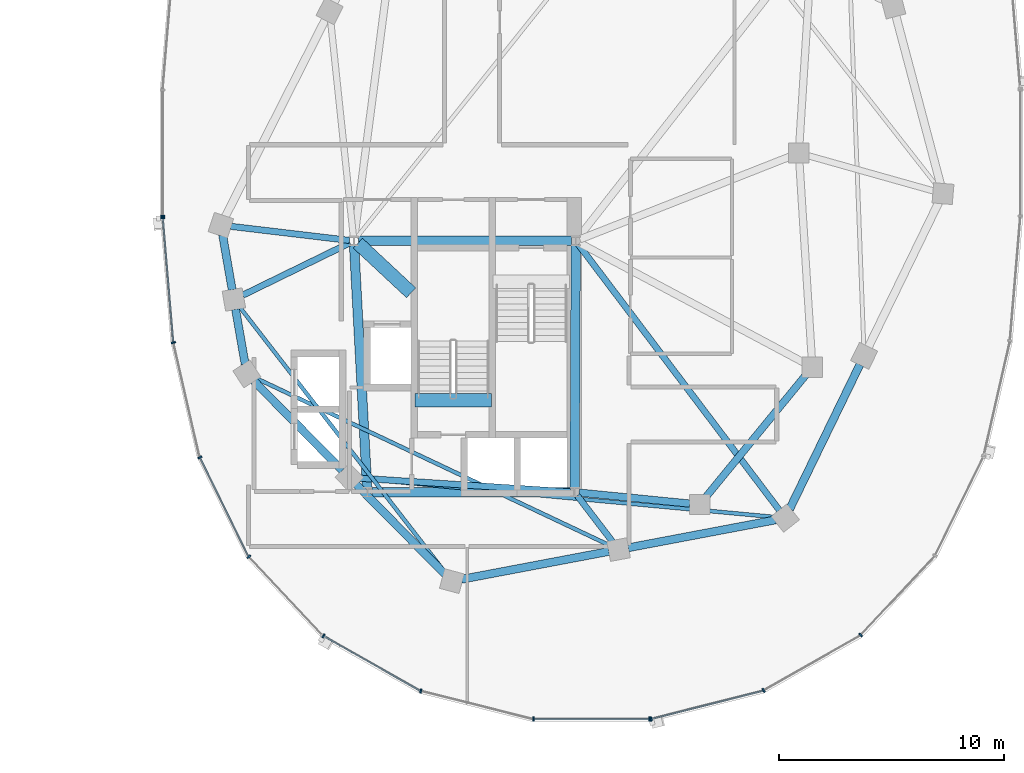
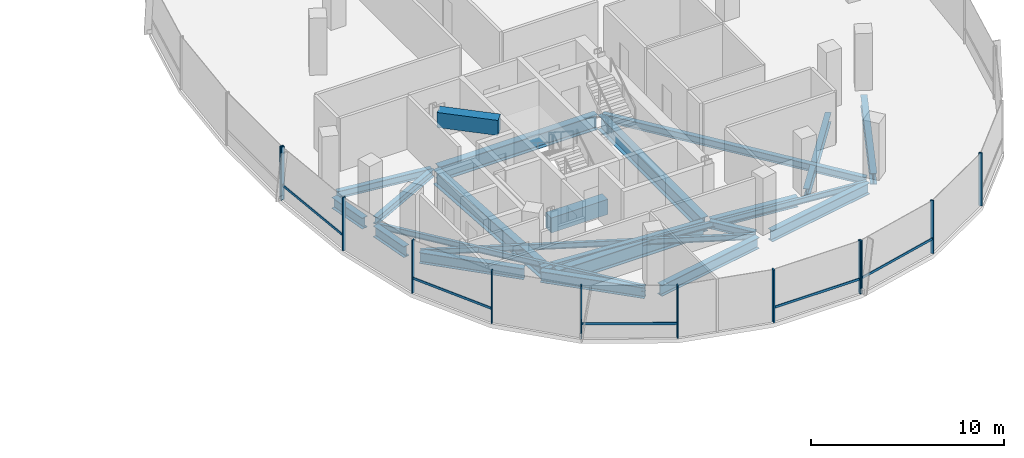
# One storey, part 8 of 24: 23 beams, 17 members, 3 elements without a shape of their own.
"""IFC4 building model written with IfcOpenShell, lengths in metres."""

from ifc_helpers import new_model, si_unit, direction, frame, origin, origin_2d, place, context, subcontext, project, spatial, rectangle, i_section, extrude, material, material_profile, profile_set, type_object, element, aggregate, save


model = new_model("IFC4")

# Units and contexts
model_context = context("Model", 3, precision=1e-05, world=origin(), true_north=direction((0.0, 1.0)))
body_context = subcontext(model_context, "Body", "Model", "MODEL_VIEW")
ifc_project = project(units=[si_unit("LENGTHUNIT", "METRE"), si_unit("AREAUNIT", "SQUARE_METRE"), si_unit("VOLUMEUNIT", "CUBIC_METRE"), si_unit("PLANEANGLEUNIT", "RADIAN"), si_unit("MASSUNIT", "GRAM", prefix="KILO"), si_unit("THERMODYNAMICTEMPERATUREUNIT", "KELVIN"), si_unit("POWERUNIT", "WATT")], contexts=[model_context])

# Site, building, storey
site_placement = place(None, origin())
site = spatial("IfcSite", under=ifc_project, at=site_placement, CompositionType="ELEMENT")
building_placement = place(site_placement, origin())
building = spatial("IfcBuilding", under=site, at=building_placement, Name="Cundina Bronze Exchange", CompositionType="ELEMENT")
storey_placement = place(building_placement, frame((0.0, 0.0, 227.800048828125)))
storey = spatial("IfcBuildingStorey", under=building, at=storey_placement, Name="L60", CompositionType="ELEMENT", Elevation=227.800048828125)

# Beams
ifc_material_1 = material(Name="Concrete C60/75", Category="concrete")
ifc_material_profile_1 = material_profile(ifc_material_1, rectangle(XDim=0.60009765625, YDim=0.949951171875, at=origin_2d()), Name="RC600X950", Category="concrete")
ifc_profile_set_1 = profile_set([ifc_material_profile_1], Name="Concrete C60/75")
beam_type_1 = type_object("IfcBeamType", Name="BM-COUP-RC950", PredefinedType="LINTEL", material=ifc_profile_set_1)
beam_1_placement = place(storey_placement, frame((24.159912109375, -10.97998046875, -0.47509765625), z_axis=(1.0, 0.0, 0.0), x_axis=(0.0, 1.0, 0.0)))
element("IfcBeam", 1, at=beam_1_placement, inside=storey, type_object=beam_type_1, Name="L60 Stair E2 Landing Header Beam", PredefinedType="LINTEL", context=body_context, shape_type="SweptSolid", body=[
    extrude(rectangle(XDim=0.60009765625, YDim=0.949951171875, at=origin_2d()), origin(), (0.0, 0.0, 1.0), 3.400146484375),
])
beam_2_placement = place(storey_placement, frame((21.6298828125, -4.0, 2.864990234375), z_axis=(0.731490439815, -0.681851696822, 0.0), x_axis=(0.681851696822, 0.731490439815, 0.0)))
element("IfcBeam", 2, at=beam_2_placement, inside=storey, type_object=beam_type_1, Name="L60 E Core Shear Coupling Lintel Beam", PredefinedType="LINTEL", context=body_context, shape_type="SweptSolid", body=[
    extrude(rectangle(XDim=0.60009765625, YDim=0.949951171875, at=origin_2d()), origin(), (0.0, 0.0, 1.0), 3.226318359375),
])
ifc_material_2 = material(Name="Steel ASTM A992 Grade 50", Category="steel")
ifc_material_profile_2 = material_profile(ifc_material_2, i_section(OverallWidth=0.280029296875, OverallDepth=0.462890625, WebThickness=0.0107421875, FlangeThickness=0.017333984375, FilletRadius=0.011962890625, at=origin_2d()), Name="W18X76", Category="steel")
ifc_profile_set_2 = profile_set([ifc_material_profile_2], Name="Steel ASTM A992 Grade 50")
beam_type_2 = type_object("IfcBeamType", Name="BM-FLR-W18A", PredefinedType="BEAM", material=ifc_profile_set_2)
beam_3_placement = place(storey_placement, frame((21.25537109375, -3.876953125, -0.491455078125), z_axis=(-0.993036786722, 0.117804669761, 0.0), x_axis=(-0.117804669761, -0.993036786722, 0.0)))
element("IfcBeam", 3, at=beam_3_placement, inside=storey, type_object=beam_type_2, Name="L60 Leg E Chordal Floor Beam 00", PredefinedType="BEAM", context=body_context, shape_type="SweptSolid", body=[
    extrude(i_section(OverallWidth=0.280029296875, OverallDepth=0.462890625, WebThickness=0.0107421875, FlangeThickness=0.017333984375, FilletRadius=0.011962890625, at=origin_2d()), origin(), (0.0, 0.0, 1.0), 5.307373046875),
])
beam_4_placement = place(storey_placement, frame((21.27392578125, -3.986083984375, -0.491455078125), z_axis=(-0.898613202677, -0.438741737214, 0.0), x_axis=(0.438741737214, -0.898613202677, 0.0)))
element("IfcBeam", 4, at=beam_4_placement, inside=storey, type_object=beam_type_2, Name="L60 Leg E Chordal Floor Beam 01", PredefinedType="BEAM", context=body_context, shape_type="SweptSolid", body=[
    extrude(i_section(OverallWidth=0.280029296875, OverallDepth=0.462890625, WebThickness=0.0107421875, FlangeThickness=0.017333984375, FilletRadius=0.011962890625, at=origin_2d()), origin(), (0.0, 0.0, 1.0), 5.2919921875),
])
beam_5_placement = place(storey_placement, frame((31.054443359375, -15.037353515625, -0.491455078125), z_axis=(-0.997894145252, 0.064863509559, 0.0), x_axis=(-0.064863509559, -0.997894145252, 0.0)))
element("IfcBeam", 5, at=beam_5_placement, inside=storey, type_object=beam_type_2, Name="L60 Leg E Chordal Floor Beam 03", PredefinedType="BEAM", context=body_context, shape_type="SweptSolid", body=[
    extrude(i_section(OverallWidth=0.280029296875, OverallDepth=0.462890625, WebThickness=0.0107421875, FlangeThickness=0.017333984375, FilletRadius=0.011962890625, at=origin_2d()), origin(), (0.0, 0.0, 1.0), 9.38720703125),
])
beam_6_placement = place(storey_placement, frame((31.369140625, -15.205810546875, -0.491455078125), z_axis=(0.60740437517, -0.794392802727, 0.0), x_axis=(0.794392802727, 0.60740437517, 0.0)))
element("IfcBeam", 6, at=beam_6_placement, inside=storey, type_object=beam_type_2, Name="L60 Leg E Chordal Floor Beam 05", PredefinedType="BEAM", context=body_context, shape_type="SweptSolid", body=[
    extrude(i_section(OverallWidth=0.280029296875, OverallDepth=0.462890625, WebThickness=0.0107421875, FlangeThickness=0.017333984375, FilletRadius=0.011962890625, at=origin_2d()), origin(), (0.0, 0.0, 1.0), 2.575927734375),
])
beam_7_placement = place(storey_placement, frame((31.418212890625, -4.056396484375, -0.491455078125), z_axis=(0.603104943786, -0.797661849897, 0.0), x_axis=(0.797661849897, 0.603104943786, 0.0)))
element("IfcBeam", 7, at=beam_7_placement, inside=storey, type_object=beam_type_2, Name="L60 Leg E Chordal Floor Beam 06", PredefinedType="BEAM", context=body_context, shape_type="SweptSolid", body=[
    extrude(i_section(OverallWidth=0.280029296875, OverallDepth=0.462890625, WebThickness=0.0107421875, FlangeThickness=0.017333984375, FilletRadius=0.011962890625, at=origin_2d()), origin(), (0.0, 0.0, 1.0), 14.785888671875),
])
ifc_material_profile_3 = material_profile(ifc_material_2, i_section(OverallWidth=0.172119140625, OverallDepth=0.35791015625, WebThickness=0.0078125, FlangeThickness=0.01318359375, FilletRadius=0.010009765625, at=origin_2d()), Name="W14X38", Category="steel")
ifc_profile_set_3 = profile_set([ifc_material_profile_3], Name="Steel ASTM A992 Grade 50")
beam_type_3 = type_object("IfcBeamType", Name="BM-JST-W14", PredefinedType="JOIST", material=ifc_profile_set_3)
beam_8_placement = place(storey_placement, frame((16.39306640625, -6.846435546875, -0.43896484375), z_axis=(0.612085793291, -0.790791364174, 0.0), x_axis=(0.790791364174, 0.612085793291, 0.0)))
element("IfcBeam", 8, at=beam_8_placement, inside=storey, type_object=beam_type_3, Name="L60 Leg E Lobe Floor Joist 01-04", PredefinedType="JOIST", context=body_context, shape_type="SweptSolid", body=[
    extrude(i_section(OverallWidth=0.172119140625, OverallDepth=0.35791015625, WebThickness=0.0078125, FlangeThickness=0.01318359375, FilletRadius=0.010009765625, at=origin_2d()), origin(), (0.0, 0.0, 1.0), 14.9306640625),
])
beam_9_placement = place(storey_placement, frame((17.095947265625, -9.9873046875, -0.43896484375), z_axis=(0.904073747204, -0.427376484632, 0.0), x_axis=(0.427376484632, 0.904073747204, 0.0)))
element("IfcBeam", 9, at=beam_9_placement, inside=storey, type_object=beam_type_3, Name="L60 Leg E Lobe Floor Joist 02-05", PredefinedType="JOIST", context=body_context, shape_type="SweptSolid", body=[
    extrude(i_section(OverallWidth=0.172119140625, OverallDepth=0.35791015625, WebThickness=0.0078125, FlangeThickness=0.01318359375, FilletRadius=0.010009765625, at=origin_2d()), origin(), (0.0, 0.0, 1.0), 17.374755859375),
])
beam_10_placement = place(storey_placement, frame((21.68603515625, -14.440673828125, -0.43896484375), z_axis=(0.9957017803, -0.092617302415, 0.0), x_axis=(0.092617302415, 0.9957017803, 0.0)))
element("IfcBeam", 10, at=beam_10_placement, inside=storey, type_object=beam_type_3, Name="L60 Leg E Lobe Floor Joist 03-06", PredefinedType="JOIST", context=body_context, shape_type="SweptSolid", body=[
    extrude(i_section(OverallWidth=0.172119140625, OverallDepth=0.35791015625, WebThickness=0.0078125, FlangeThickness=0.01318359375, FilletRadius=0.010009765625, at=origin_2d()), origin(), (0.0, 0.0, 1.0), 18.5576171875),
])
ifc_material_profile_4 = material_profile(ifc_material_2, i_section(OverallWidth=0.324951171875, OverallDepth=0.615966796875, WebThickness=0.013916015625, FlangeThickness=0.021484375, FilletRadius=0.01611328125, at=origin_2d()), Name="W24X117", Category="steel")
ifc_profile_set_4 = profile_set([ifc_material_profile_4], Name="Steel ASTM A992 Grade 50")
beam_type_4 = type_object("IfcBeamType", Name="BM-RING-W24", PredefinedType="USERDEFINED", material=ifc_profile_set_4)
beam_11_placement = place(storey_placement, frame((31.445068359375, -15.0693359375, -0.568115234375), z_axis=(0.995123854478, -0.09863323096, 0.0), x_axis=(0.09863323096, 0.995123854478, 0.0)))
element("IfcBeam", 11, at=beam_11_placement, inside=storey, type_object=beam_type_4, Name="L60 E Inner Structural Ring Girder 01", ObjectType="GIRDER", PredefinedType="USERDEFINED", context=body_context, shape_type="SweptSolid", body=[
    extrude(i_section(OverallWidth=0.324951171875, OverallDepth=0.615966796875, WebThickness=0.013916015625, FlangeThickness=0.021484375, FilletRadius=0.01611328125, at=origin_2d()), origin(), (0.0, 0.0, 1.0), 4.943115234375),
])
beam_12_placement = place(storey_placement, frame((37.07763671875, -15.26123046875, -0.568115234375), z_axis=(0.633912590175, 0.77340469873, 0.0), x_axis=(-0.77340469873, 0.633912590175, 0.0)))
element("IfcBeam", 12, at=beam_12_placement, inside=storey, type_object=beam_type_4, Name="L60 E Inner Structural Ring Girder 02", ObjectType="GIRDER", PredefinedType="USERDEFINED", context=body_context, shape_type="SweptSolid", body=[
    extrude(i_section(OverallWidth=0.324951171875, OverallDepth=0.615966796875, WebThickness=0.013916015625, FlangeThickness=0.021484375, FilletRadius=0.01611328125, at=origin_2d()), origin(), (0.0, 0.0, 1.0), 7.01123046875),
])
ifc_material_profile_5 = material_profile(ifc_material_2, i_section(OverallWidth=0.35498046875, OverallDepth=0.695068359375, WebThickness=0.015380859375, FlangeThickness=0.02490234375, FilletRadius=0.01806640625, at=origin_2d()), Name="W27X146", Category="steel")
ifc_profile_set_5 = profile_set([ifc_material_profile_5], Name="Steel ASTM A992 Grade 50")
beam_type_5 = type_object("IfcBeamType", Name="BM-RING-W27", PredefinedType="USERDEFINED", material=ifc_profile_set_5)
for number, where, z_axis, x_axis, name in (
    (13, (15.625244140625, -3.631591796875, -0.607666015625), (0.171628556628, -0.985161732179, 0.0), (0.985161732179, 0.171628556628, 0.0), "L60 E Perimeter Ring Girder 00"),
    (14, (16.2001953125, -6.931396484375, -0.607666015625), (0.171628556628, -0.985161732179, 0.0), (0.985161732179, 0.171628556628, 0.0), "L60 E Perimeter Ring Girder 01"),
):
    element("IfcBeam", number, at=place(storey_placement, frame(where, z_axis=z_axis, x_axis=x_axis)), inside=storey, type_object=beam_type_5, Name=name, ObjectType="GIRDER", PredefinedType="USERDEFINED", context=body_context, shape_type="SweptSolid", body=[
        extrude(i_section(OverallWidth=0.35498046875, OverallDepth=0.695068359375, WebThickness=0.015380859375, FlangeThickness=0.02490234375, FilletRadius=0.01806640625, at=origin_2d()), origin(), (0.0, 0.0, 1.0), 2.4736328125),
    ])
for number, where, z_axis, x_axis, name in (
    (15, (17.008056640625, -10.111328125, -0.607666015625), (0.703211928763, -0.710980297368, 0.0), (0.710980297368, 0.703211928763, 0.0), "L60 E Perimeter Ring Girder 02"),
    (16, (21.55810546875, -14.71142578125, -0.607666015625), (0.703211928763, -0.710980297368, 0.0), (0.710980297368, 0.703211928763, 0.0), "L60 E Perimeter Ring Girder 03"),
):
    element("IfcBeam", number, at=place(storey_placement, frame(where, z_axis=z_axis, x_axis=x_axis)), inside=storey, type_object=beam_type_5, Name=name, ObjectType="GIRDER", PredefinedType="USERDEFINED", context=body_context, shape_type="SweptSolid", body=[
        extrude(i_section(OverallWidth=0.35498046875, OverallDepth=0.695068359375, WebThickness=0.015380859375, FlangeThickness=0.02490234375, FilletRadius=0.01806640625, at=origin_2d()), origin(), (0.0, 0.0, 1.0), 5.593994140625),
    ])
beam_13_placement = place(storey_placement, frame((26.23046875, -18.918701171875, -0.607666015625), z_axis=(0.982565174657, 0.185918470175, 0.0), x_axis=(-0.185918470175, 0.982565174657, 0.0)))
element("IfcBeam", 17, at=beam_13_placement, inside=storey, type_object=beam_type_5, Name="L60 E Perimeter Ring Girder 04", ObjectType="GIRDER", PredefinedType="USERDEFINED", context=body_context, shape_type="SweptSolid", body=[
    extrude(i_section(OverallWidth=0.35498046875, OverallDepth=0.695068359375, WebThickness=0.015380859375, FlangeThickness=0.02490234375, FilletRadius=0.01806640625, at=origin_2d()), origin(), (0.0, 0.0, 1.0), 6.655029296875),
])
beam_14_placement = place(storey_placement, frame((33.63037109375, -17.5185546875, -0.607666015625), z_axis=(0.982573143022, 0.185876353022, 0.0), x_axis=(-0.185876353022, 0.982573143022, 0.0)))
element("IfcBeam", 18, at=beam_14_placement, inside=storey, type_object=beam_type_5, Name="L60 E Perimeter Ring Girder 05", ObjectType="GIRDER", PredefinedType="USERDEFINED", context=body_context, shape_type="SweptSolid", body=[
    extrude(i_section(OverallWidth=0.35498046875, OverallDepth=0.695068359375, WebThickness=0.015380859375, FlangeThickness=0.02490234375, FilletRadius=0.01806640625, at=origin_2d()), origin(), (0.0, 0.0, 1.0), 6.6552734375),
])
beam_15_placement = place(storey_placement, frame((40.79150390625, -15.80615234375, -0.607666015625), z_axis=(0.437173087764, 0.89937739094, 0.0), x_axis=(-0.89937739094, 0.437173087764, 0.0)))
element("IfcBeam", 19, at=beam_15_placement, inside=storey, type_object=beam_type_5, Name="L60 E Perimeter Ring Girder 06", ObjectType="GIRDER", PredefinedType="USERDEFINED", context=body_context, shape_type="SweptSolid", body=[
    extrude(i_section(OverallWidth=0.35498046875, OverallDepth=0.695068359375, WebThickness=0.015380859375, FlangeThickness=0.02490234375, FilletRadius=0.01806640625, at=origin_2d()), origin(), (0.0, 0.0, 1.0), 7.1298828125),
])
ifc_material_profile_6 = material_profile(ifc_material_2, i_section(OverallWidth=0.41796875, OverallDepth=0.927001953125, WebThickness=0.019287109375, FlangeThickness=0.031982421875, FilletRadius=0.02392578125, at=origin_2d()), Name="W36X231", Category="steel")
ifc_profile_set_6 = profile_set([ifc_material_profile_6], Name="Steel ASTM A992 Grade 50")
beam_type_6 = type_object("IfcBeamType", Name="BM-WRN-W36B", PredefinedType="USERDEFINED", material=ifc_profile_set_6)
beam_16_placement = place(storey_placement, frame((31.10400390625, -3.89990234375, -0.7236328125), z_axis=(-1.0, 0.0, 0.0), x_axis=(0.0, -1.0, 0.0)))
element("IfcBeam", 20, at=beam_16_placement, inside=storey, type_object=beam_type_6, Name="L60 E Core Perimeter Tie Girder 1", ObjectType="GIRDER", PredefinedType="USERDEFINED", context=body_context, shape_type="SweptSolid", body=[
    extrude(i_section(OverallWidth=0.41796875, OverallDepth=0.927001953125, WebThickness=0.019287109375, FlangeThickness=0.031982421875, FilletRadius=0.02392578125, at=origin_2d()), origin(), (0.0, 0.0, 1.0), 9.4580078125),
])
beam_17_placement = place(storey_placement, frame((21.46044921875, -4.095703125, -0.7236328125), z_axis=(0.053749317644, -0.998554460634, 0.0), x_axis=(0.998554460634, 0.053749317644, 0.0)))
element("IfcBeam", 21, at=beam_17_placement, inside=storey, type_object=beam_type_6, Name="L60 E Core Perimeter Tie Girder 2", ObjectType="GIRDER", PredefinedType="USERDEFINED", context=body_context, shape_type="SweptSolid", body=[
    extrude(i_section(OverallWidth=0.41796875, OverallDepth=0.927001953125, WebThickness=0.019287109375, FlangeThickness=0.031982421875, FilletRadius=0.02392578125, at=origin_2d()), origin(), (0.0, 0.0, 1.0), 10.774169921875),
])
beam_18_placement = place(storey_placement, frame((22.24609375, -15.050048828125, -0.7236328125), z_axis=(1.0, 0.0, 0.0), x_axis=(0.0, 1.0, 0.0)))
element("IfcBeam", 22, at=beam_18_placement, inside=storey, type_object=beam_type_6, Name="L60 E Core Perimeter Tie Girder 3", ObjectType="GIRDER", PredefinedType="USERDEFINED", context=body_context, shape_type="SweptSolid", body=[
    extrude(i_section(OverallWidth=0.41796875, OverallDepth=0.927001953125, WebThickness=0.019287109375, FlangeThickness=0.031982421875, FilletRadius=0.02392578125, at=origin_2d()), origin(), (0.0, 0.0, 1.0), 8.807861328125),
])
beam_19_placement = place(storey_placement, frame((31.2509765625, -14.85400390625, -0.7236328125), z_axis=(0.004470623654, 0.999990006712, 0.0), x_axis=(-0.999990006712, 0.004470623654, 0.0)))
element("IfcBeam", 23, at=beam_19_placement, inside=storey, type_object=beam_type_6, Name="L60 E Core Perimeter Tie Girder 4", ObjectType="GIRDER", PredefinedType="USERDEFINED", context=body_context, shape_type="SweptSolid", body=[
    extrude(i_section(OverallWidth=0.41796875, OverallDepth=0.927001953125, WebThickness=0.019287109375, FlangeThickness=0.031982421875, FilletRadius=0.02392578125, at=origin_2d()), origin(), (0.0, 0.0, 1.0), 10.758056640625),
])

# Curtain wall, member
ifc_material_3 = material(Name="Anodised Bronze Aluminium 6063-T6", Category="aluminium")
curtain_wall_type = type_object("IfcCurtainWallType", Name="CWS-UPP-OFF", PredefinedType="NOTDEFINED", material=ifc_material_3)
curtain_wall_1_placement = place(storey_placement, origin())
curtain_wall_1 = element("IfcCurtainWall", 24, at=curtain_wall_1_placement, inside=storey, type_object=curtain_wall_type, Name="L60 CW-05 Curtain Wall Run CWR-L60-E2", PredefinedType="NOTDEFINED")
ifc_material_profile_7 = material_profile(ifc_material_3, rectangle(XDim=0.070068359375, YDim=0.18994140625, at=origin_2d()), Name="AL70X190", Category="aluminium")
ifc_profile_set_7 = profile_set([ifc_material_profile_7], Name="Anodised Bronze Aluminium 6063-T6")
member_type_1 = type_object("IfcMemberType", Name="CWM-MUL-190", PredefinedType="MULLION", material=ifc_profile_set_7)
member_1_placement = place(storey_placement, frame((12.966064453125, -2.794921875, 0.0), z_axis=(0.0, 0.0, 1.0), x_axis=(0.0, -1.0, 0.0)))
member_1 = element("IfcMember", 25, at=member_1_placement, type_object=member_type_1, Name="CW-05 End Mullion", PredefinedType="MULLION", context=body_context, shape_type="SweptSolid", body=[
    extrude(rectangle(XDim=0.070068359375, YDim=0.18994140625, at=origin_2d()), origin(), (0.0, 0.0, 1.0), 3.33984375),
])
aggregate(curtain_wall_1, [member_1])

# Curtain wall, members
curtain_wall_2_placement = place(storey_placement, origin())
curtain_wall_2 = element("IfcCurtainWall", 26, at=curtain_wall_2_placement, inside=storey, type_object=curtain_wall_type, Name="L60 CW-05 Curtain Wall Run CWR-L60-E3", PredefinedType="NOTDEFINED")
member_2_placement = place(storey_placement, frame((12.9697265625, -2.88330078125, 0.0), z_axis=(0.0, 0.0, 1.0), x_axis=(0.083677843332, -0.99649285925, 0.0)))
member_2 = element("IfcMember", 27, at=member_2_placement, type_object=member_type_1, Name="CW-05 Mullion 1", PredefinedType="MULLION", context=body_context, shape_type="SweptSolid", body=[
    extrude(rectangle(XDim=0.070068359375, YDim=0.18994140625, at=origin_2d()), origin(), (0.0, 0.0, 1.0), 3.33984375),
])
member_3_placement = place(storey_placement, frame((13.43994140625, -8.4111328125, 0.0), z_axis=(0.0, 0.0, 1.0), x_axis=(0.223250116011, -0.974761194191, 0.0)))
member_3 = element("IfcMember", 28, at=member_3_placement, type_object=member_type_1, Name="CW-05 Mullion 2", PredefinedType="MULLION", context=body_context, shape_type="SweptSolid", body=[
    extrude(rectangle(XDim=0.070068359375, YDim=0.18994140625, at=origin_2d()), origin(), (0.0, 0.0, 1.0), 3.33984375),
])
member_4_placement = place(storey_placement, frame((14.61572265625, -13.50732421875, 0.0), z_axis=(0.0, 0.0, 1.0), x_axis=(0.440566004113, -0.897720221461, 0.0)))
member_4 = element("IfcMember", 29, at=member_4_placement, type_object=member_type_1, Name="CW-05 Mullion 3", PredefinedType="MULLION", context=body_context, shape_type="SweptSolid", body=[
    extrude(rectangle(XDim=0.070068359375, YDim=0.18994140625, at=origin_2d()), origin(), (0.0, 0.0, 1.0), 3.33984375),
])
member_5_placement = place(storey_placement, frame((16.790283203125, -17.91796875, 0.0), z_axis=(0.0, 0.0, 1.0), x_axis=(0.684292606175, -0.729207535023, 0.0)))
member_5 = element("IfcMember", 30, at=member_5_placement, type_object=member_type_1, Name="CW-05 Mullion 4", PredefinedType="MULLION", context=body_context, shape_type="SweptSolid", body=[
    extrude(rectangle(XDim=0.070068359375, YDim=0.18994140625, at=origin_2d()), origin(), (0.0, 0.0, 1.0), 3.33984375),
])
member_6_placement = place(storey_placement, frame((20.100341796875, -21.43115234375, 0.0), z_axis=(0.0, 0.0, 1.0), x_axis=(0.86958112538, -0.493790103568, 0.0)))
member_6 = element("IfcMember", 31, at=member_6_placement, type_object=member_type_1, Name="CW-05 Mullion 5", PredefinedType="MULLION", context=body_context, shape_type="SweptSolid", body=[
    extrude(rectangle(XDim=0.070068359375, YDim=0.18994140625, at=origin_2d()), origin(), (0.0, 0.0, 1.0), 3.33984375),
])
member_7_placement = place(storey_placement, frame((24.422607421875, -23.87548828125, 0.0), z_axis=(0.0, 0.0, 1.0), x_axis=(0.969744325821, -0.244122802168, 0.0)))
member_7 = element("IfcMember", 32, at=member_7_placement, type_object=member_type_1, Name="CW-05 Mullion 6", PredefinedType="MULLION", context=body_context, shape_type="SweptSolid", body=[
    extrude(rectangle(XDim=0.070068359375, YDim=0.18994140625, at=origin_2d()), origin(), (0.0, 0.0, 1.0), 3.33984375),
])
member_8_placement = place(storey_placement, frame((29.419921875, -25.125, 0.0), z_axis=(0.0, 0.0, 1.0), x_axis=(1.0, 0.0, 0.0)))
member_8 = element("IfcMember", 33, at=member_8_placement, type_object=member_type_1, Name="CW-05 Mullion 7", PredefinedType="MULLION", context=body_context, shape_type="SweptSolid", body=[
    extrude(rectangle(XDim=0.070068359375, YDim=0.18994140625, at=origin_2d()), origin(), (0.0, 0.0, 1.0), 3.33984375),
])
member_9_placement = place(storey_placement, frame((34.580078125, -25.125, 0.0), z_axis=(0.0, 0.0, 1.0), x_axis=(1.0, 0.0, 0.0)))
member_9 = element("IfcMember", 34, at=member_9_placement, type_object=member_type_1, Name="CW-05 End Mullion", PredefinedType="MULLION", context=body_context, shape_type="SweptSolid", body=[
    extrude(rectangle(XDim=0.070068359375, YDim=0.18994140625, at=origin_2d()), origin(), (0.0, 0.0, 1.0), 3.33984375),
])

curtain_wall_3_placement = place(storey_placement, origin())
curtain_wall_3 = element("IfcCurtainWall", 35, at=curtain_wall_3_placement, inside=storey, type_object=curtain_wall_type, Name="L60 CW-05 Curtain Wall Run CWR-L60-E4", PredefinedType="NOTDEFINED")
member_10_placement = place(storey_placement, frame((34.6484375, -25.116455078125, 0.0), z_axis=(0.0, 0.0, 1.0), x_axis=(0.969744325821, 0.244122802168, 0.0)))
member_10 = element("IfcMember", 36, at=member_10_placement, type_object=member_type_1, Name="CW-05 Mullion 1", PredefinedType="MULLION", context=body_context, shape_type="SweptSolid", body=[
    extrude(rectangle(XDim=0.070068359375, YDim=0.18994140625, at=origin_2d()), origin(), (0.0, 0.0, 1.0), 3.33984375),
])
member_11_placement = place(storey_placement, frame((39.638916015625, -23.850830078125, 0.0), z_axis=(0.0, 0.0, 1.0), x_axis=(0.86958112538, 0.493790103568, 0.0)))
member_11 = element("IfcMember", 37, at=member_11_placement, type_object=member_type_1, Name="CW-05 Mullion 2", PredefinedType="MULLION", context=body_context, shape_type="SweptSolid", body=[
    extrude(rectangle(XDim=0.070068359375, YDim=0.18994140625, at=origin_2d()), origin(), (0.0, 0.0, 1.0), 3.33984375),
])
member_12_placement = place(storey_placement, frame((43.94873046875, -21.392578125, 0.0), z_axis=(0.0, 0.0, 1.0), x_axis=(0.684292606175, 0.729207535023, 0.0)))
member_12 = element("IfcMember", 38, at=member_12_placement, type_object=member_type_1, Name="CW-05 Mullion 3", PredefinedType="MULLION", context=body_context, shape_type="SweptSolid", body=[
    extrude(rectangle(XDim=0.070068359375, YDim=0.18994140625, at=origin_2d()), origin(), (0.0, 0.0, 1.0), 3.33984375),
])

# Member
ifc_material_profile_8 = material_profile(ifc_material_3, rectangle(XDim=0.06494140625, YDim=0.14990234375, at=origin_2d()), Name="AL65X150", Category="aluminium")
ifc_profile_set_8 = profile_set([ifc_material_profile_8], Name="Anodised Bronze Aluminium 6063-T6")
member_type_2 = type_object("IfcMemberType", Name="CWM-TRN-150", PredefinedType="USERDEFINED", material=ifc_profile_set_8)
member_13_placement = place(storey_placement, frame((12.972900390625, -2.921630859375, 0.919921875), z_axis=(0.083740331158, -0.996487610027, 0.0), x_axis=(0.996487610027, 0.083740331158, 0.0)))
member_13 = element("IfcMember", 39, at=member_13_placement, type_object=member_type_2, Name="CW-05 Spandrel Transom 1", ObjectType="TRANSOM", PredefinedType="USERDEFINED", context=body_context, shape_type="SweptSolid", body=[
    extrude(rectangle(XDim=0.06494140625, YDim=0.14990234375, at=origin_2d()), origin(), (0.0, 0.0, 1.0), 5.466552734375),
])

member_14_placement = place(storey_placement, frame((14.6328125, -13.5419921875, 0.919921875), z_axis=(0.440483110889, -0.897760897467, 0.0), x_axis=(0.897760897467, 0.440483110889, 0.0)))
member_14 = element("IfcMember", 40, at=member_14_placement, type_object=member_type_2, Name="CW-05 Spandrel Transom 3", ObjectType="TRANSOM", PredefinedType="USERDEFINED", context=body_context, shape_type="SweptSolid", body=[
    extrude(rectangle(XDim=0.06494140625, YDim=0.14990234375, at=origin_2d()), origin(), (0.0, 0.0, 1.0), 4.855224609375),
])

member_15_placement = place(storey_placement, frame((20.1337890625, -21.4501953125, 0.919921875), z_axis=(0.869573748083, -0.493803095013, 0.0), x_axis=(0.493803095013, 0.869573748083, 0.0)))
member_15 = element("IfcMember", 41, at=member_15_placement, type_object=member_type_2, Name="CW-05 Spandrel Transom 5", ObjectType="TRANSOM", PredefinedType="USERDEFINED", context=body_context, shape_type="SweptSolid", body=[
    extrude(rectangle(XDim=0.06494140625, YDim=0.14990234375, at=origin_2d()), origin(), (0.0, 0.0, 1.0), 4.900146484375),
])

member_16_placement = place(storey_placement, frame((29.45849609375, -25.125, 0.919921875), z_axis=(1.0, 0.0, 0.0), x_axis=(0.0, 1.0, 0.0)))
member_16 = element("IfcMember", 42, at=member_16_placement, type_object=member_type_2, Name="CW-05 Spandrel Transom 7", ObjectType="TRANSOM", PredefinedType="USERDEFINED", context=body_context, shape_type="SweptSolid", body=[
    extrude(rectangle(XDim=0.06494140625, YDim=0.14990234375, at=origin_2d()), origin(), (0.0, 0.0, 1.0), 5.0830078125),
])

aggregate(curtain_wall_2, [member_2, member_13, member_3, member_4, member_14, member_5, member_6, member_15, member_7, member_8, member_9, member_16])

member_17_placement = place(storey_placement, frame((34.685791015625, -25.107177734375, 0.919921875), z_axis=(0.969725738797, 0.244196624699, 0.0), x_axis=(-0.244196624699, 0.969725738797, 0.0)))
member_17 = element("IfcMember", 43, at=member_17_placement, type_object=member_type_2, Name="CW-05 Spandrel Transom 1", ObjectType="TRANSOM", PredefinedType="USERDEFINED", context=body_context, shape_type="SweptSolid", body=[
    extrude(rectangle(XDim=0.06494140625, YDim=0.14990234375, at=origin_2d()), origin(), (0.0, 0.0, 1.0), 5.082763671875),
])

aggregate(curtain_wall_3, [member_10, member_17, member_11, member_12])

save(model, "model.ifc")
